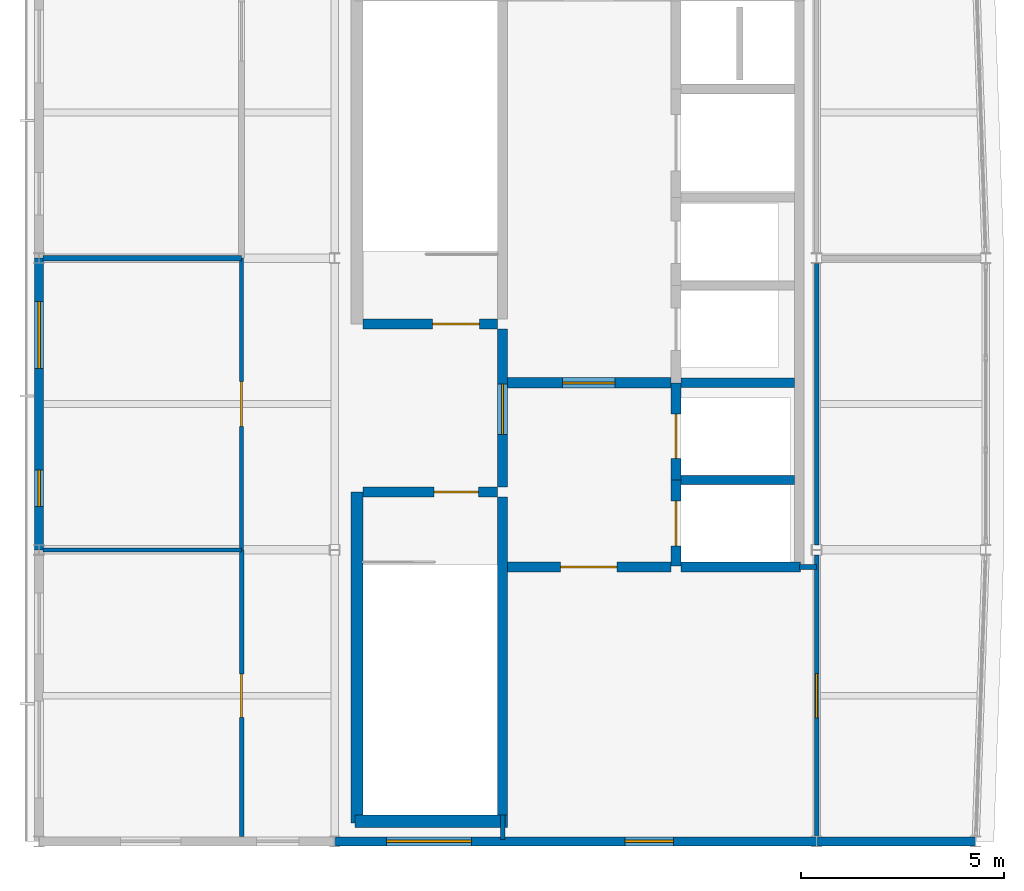
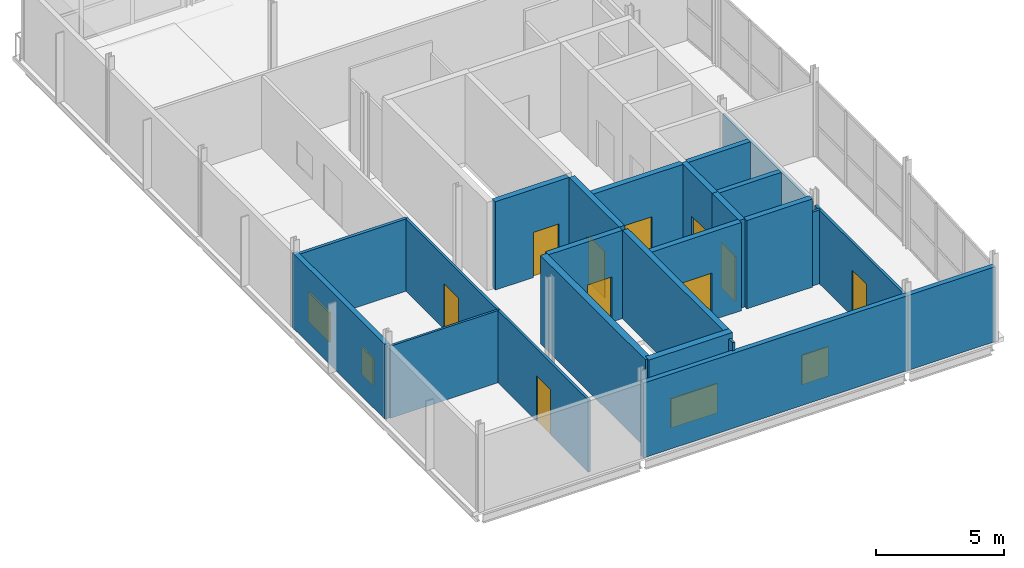
# One storey, part 11 of 14: 24 walls, 10 doors, 4 windows, 14 openings.
"""IFC4 building model written with IfcOpenShell, lengths in metres."""

from ifc_helpers import new_model, si_unit, direction, frame, frame_2d, origin, place, context, subcontext, project, spatial, rectangle, extrude, material, layer, layer_set, type_object, element, fill, save


model = new_model("IFC4")

# Units and contexts
model_context = context("Model", 3, precision=1e-05, world=origin(), true_north=direction((0.0, 1.0)))
body_context = subcontext(model_context, "Body", "Model", "MODEL_VIEW")
ifc_project = project(units=[si_unit("LENGTHUNIT", "METRE"), si_unit("AREAUNIT", "SQUARE_METRE"), si_unit("VOLUMEUNIT", "CUBIC_METRE"), si_unit("PLANEANGLEUNIT", "RADIAN"), si_unit("MASSUNIT", "GRAM", prefix="KILO")], contexts=[model_context])

# Site, building, storey
site_placement = place(None, origin())
site = spatial("IfcSite", under=ifc_project, at=site_placement, CompositionType="ELEMENT")
building_placement = place(site_placement, origin())
building = spatial("IfcBuilding", under=site, at=building_placement, Name="Quillay Park Conservatory", CompositionType="ELEMENT")
storey_placement = place(building_placement, frame((0.0, 0.0, 64.5)))
storey = spatial("IfcBuildingStorey", under=building, at=storey_placement, Name="L15", CompositionType="ELEMENT", Elevation=64.5)

# Wall
ifc_material_1 = material(Name="Steel-Stud Acoustic Gypsum Board Partition", Category="steel")
ifc_layer_1 = layer(ifc_material_1, 0.10009765625)
ifc_layer_set_1 = layer_set([ifc_layer_1], Name="ACOUSTIC GYPSUM PARTITION 100 (Steel-Stud Acoustic Gypsum Board Partition)")
wall_type_1 = type_object("IfcWallType", Name="ACOUSTIC GYPSUM PARTITION 100", PredefinedType="PARTITIONING", material=ifc_layer_set_1)
wall_1_placement = place(storey_placement, frame((0.64990234375, 85.199951171875, 0.0), z_axis=(0.0, 0.0, 1.0), x_axis=(1.0, 0.0, 0.0)))
element("IfcWall", 1, at=wall_1_placement, inside=storey, type_object=wall_type_1, Name="L15 West Divider 85", PredefinedType="PARTITIONING", context=body_context, shape_type="SweptSolid", body=[
    extrude(rectangle(XDim=4.900146484375, YDim=0.10009765625, at=frame_2d((2.4501953125, 0.0))), origin(), (0.0, 0.0, 1.0), 3.43603515625),
])

# Wall, opening, door
ifc_material_2 = material(Name="Steel-Stud Acoustic Gypsum Board Partition", Category="steel")
ifc_layer_2 = layer(ifc_material_2, 0.10498046875)
ifc_layer_set_2 = layer_set([ifc_layer_2], Name="ACOUSTIC GYPSUM PARTITION 105 (Steel-Stud Acoustic Gypsum Board Partition)")
wall_type_2 = type_object("IfcWallType", Name="ACOUSTIC GYPSUM PARTITION 105", PredefinedType="PARTITIONING", material=ifc_layer_set_2)
wall_2_placement = place(storey_placement, frame((5.550048828125, 85.199951171875, 0.0), z_axis=(0.0, 0.0, 1.0), x_axis=(0.0, 1.0, 0.0)))
wall_2 = element("IfcWall", 2, at=wall_2_placement, inside=storey, type_object=wall_type_2, Name="L15 Andean Treeline Phenology Studio Corridor Wall", PredefinedType="PARTITIONING", context=body_context, shape_type="SweptSolid", body=[
    extrude(rectangle(XDim=7.199951171875, YDim=0.10498046875, at=frame_2d((3.60009765625, 0.0))), origin(), (0.0, 0.0, 1.0), 3.43603515625),
])
opening_1_placement = place(wall_2_placement, frame((3.0400390625, 0.0, 0.0)))
opening_1 = element("IfcOpeningElement", 3, at=opening_1_placement, cuts=wall_2, Name="Opening D-RM12", PredefinedType="OPENING", context=body_context, shape_type="SweptSolid", body=[
    extrude(rectangle(XDim=1.1201171875, YDim=2.14990234375, at=frame_2d((0.56005859375, 1.074951171875))), frame((0.0, 0.052490234375, 0.0), z_axis=(0.0, -1.0, 0.0), x_axis=(1.0, 0.0, 0.0)), (0.0, 0.0, 1.0), 0.10498046875),
])
ifc_material_3 = material(Name="Thermally Broken Anodised Aluminium 6063-T6", Category="aluminium")
door_type_1 = type_object("IfcDoorType", Name="SINGLE SWING DOOR 1120 X2150", OperationType="NOTDEFINED", PredefinedType="DOOR", material=ifc_material_3)
door_1_placement = place(opening_1_placement, origin())
door_1 = element("IfcDoor", 4, at=door_1_placement, inside=storey, type_object=door_type_1, Name="L15 Door to Andean Treeline Phenology Studio", OperationType="SINGLE_SWING_RIGHT", OverallHeight=2.14990234375, OverallWidth=1.1201171875, PredefinedType="DOOR", context=body_context, shape_type="SweptSolid", body=[
    extrude(rectangle(XDim=1.1201171875, YDim=2.14990234375, at=frame_2d((0.56005859375, 1.074951171875))), frame((0.0, 0.02490234375, 0.0), z_axis=(0.0, -1.0, 0.0), x_axis=(1.0, 0.0, 0.0)), (0.0, 0.0, 1.0), 0.050048828125),
])
fill(opening_1, door_1)

# Wall
wall_3_placement = place(storey_placement, frame((19.75, 85.322998046875, 0.0), z_axis=(0.0, 0.0, 1.0), x_axis=(0.0, 1.0, 0.0)))
element("IfcWall", 5, at=wall_3_placement, inside=storey, type_object=wall_type_2, Name="L15 Cordillera Pollen Trap Analysis Lab West Wall 2", PredefinedType="PARTITIONING", context=body_context, shape_type="SweptSolid", body=[
    extrude(rectangle(XDim=6.951904296875, YDim=0.10498046875, at=frame_2d((3.47607421875, 0.0))), origin(), (0.0, 0.0, 1.0), 3.511962890625),
])

# Wall, opening, door
ifc_material_4 = material(Name="Steel-Stud Acoustic Gypsum Board Partition", Category="steel")
ifc_layer_3 = layer(ifc_material_4, 0.110107421875)
ifc_layer_set_3 = layer_set([ifc_layer_3], Name="ACOUSTIC GYPSUM PARTITION 110 (Steel-Stud Acoustic Gypsum Board Partition)")
wall_type_3 = type_object("IfcWallType", Name="ACOUSTIC GYPSUM PARTITION 110", PredefinedType="PARTITIONING", material=ifc_layer_set_3)
wall_4_placement = place(storey_placement, frame((5.550048828125, 78.125, 0.0), z_axis=(0.0, 0.0, 1.0), x_axis=(0.0, 1.0, 0.0)))
wall_4 = element("IfcWall", 6, at=wall_4_placement, inside=storey, type_object=wall_type_3, Name="L15 High-Altitude Alpine Seed Reference Laboratory Corridor Wall", PredefinedType="PARTITIONING", context=body_context, shape_type="SweptSolid", body=[
    extrude(rectangle(XDim=7.074951171875, YDim=0.110107421875, at=frame_2d((3.53759765625, 0.0))), origin(), (0.0, 0.0, 1.0), 3.43603515625),
])
opening_2_placement = place(wall_4_placement, frame((2.93505859375, 0.0, 0.0)))
opening_2 = element("IfcOpeningElement", 7, at=opening_2_placement, cuts=wall_4, Name="Opening D-RM11", PredefinedType="OPENING", context=body_context, shape_type="SweptSolid", body=[
    extrude(rectangle(XDim=1.080078125, YDim=2.14990234375, at=frame_2d((0.5400390625, 1.074951171875))), frame((0.0, 0.05517578125, 0.0), z_axis=(0.0, -1.0, 0.0), x_axis=(1.0, 0.0, 0.0)), (0.0, 0.0, 1.0), 0.110107421875),
])
ifc_material_5 = material(Name="Thermally Broken Anodised Aluminium 6063-T6", Category="aluminium")
door_type_2 = type_object("IfcDoorType", Name="SINGLE SWING DOOR 1080 X2150", OperationType="NOTDEFINED", PredefinedType="DOOR", material=ifc_material_5)
door_2_placement = place(opening_2_placement, origin())
door_2 = element("IfcDoor", 8, at=door_2_placement, inside=storey, type_object=door_type_2, Name="L15 Door to High-Altitude Alpine Seed Reference Laboratory", OperationType="SINGLE_SWING_LEFT", OverallHeight=2.14990234375, OverallWidth=1.080078125, PredefinedType="DOOR", context=body_context, shape_type="SweptSolid", body=[
    extrude(rectangle(XDim=1.080078125, YDim=2.14990234375, at=frame_2d((0.5400390625, 1.074951171875))), frame((0.0, 0.02490234375, 0.0), z_axis=(0.0, -1.0, 0.0), x_axis=(1.0, 0.0, 0.0)), (0.0, 0.0, 1.0), 0.050048828125),
])
fill(opening_2, door_2)

wall_5_placement = place(storey_placement, frame((19.75, 78.125, 0.0), z_axis=(0.0, 0.0, 1.0), x_axis=(0.0, 1.0, 0.0)))
wall_5 = element("IfcWall", 9, at=wall_5_placement, inside=storey, type_object=wall_type_3, Name="L15 Cordillera Pollen Trap Analysis Lab West Wall 1", PredefinedType="PARTITIONING", context=body_context, shape_type="SweptSolid", body=[
    extrude(rectangle(XDim=6.951904296875, YDim=0.110107421875, at=frame_2d((3.47607421875, 0.0))), origin(), (0.0, 0.0, 1.0), 3.511962890625),
])
opening_3_placement = place(wall_5_placement, frame((2.925048828125, 0.0, 0.0)))
opening_3 = element("IfcOpeningElement", 10, at=opening_3_placement, cuts=wall_5, Name="Opening D-RM16", PredefinedType="OPENING", context=body_context, shape_type="SweptSolid", body=[
    extrude(rectangle(XDim=1.10009765625, YDim=2.199951171875, at=frame_2d((0.550048828125, 1.10009765625))), frame((0.0, 0.05517578125, 0.0), z_axis=(0.0, -1.0, 0.0), x_axis=(1.0, 0.0, 0.0)), (0.0, 0.0, 1.0), 0.110107421875),
])
ifc_material_6 = material(Name="Thermally Broken Anodised Aluminium 6063-T6", Category="aluminium")
door_type_3 = type_object("IfcDoorType", Name="SINGLE SWING DOOR 1100 X2200", OperationType="NOTDEFINED", PredefinedType="DOOR", material=ifc_material_6)
door_3_placement = place(opening_3_placement, origin())
door_3 = element("IfcDoor", 11, at=door_3_placement, inside=storey, type_object=door_type_3, Name="L15 Door to Cordillera Pollen Trap Analysis Lab", OperationType="SINGLE_SWING_RIGHT", OverallHeight=2.199951171875, OverallWidth=1.10009765625, PredefinedType="DOOR", context=body_context, shape_type="SweptSolid", body=[
    extrude(rectangle(XDim=1.10009765625, YDim=2.199951171875, at=frame_2d((0.550048828125, 1.10009765625))), frame((0.0, 0.02490234375, 0.0), z_axis=(0.0, -1.0, 0.0), x_axis=(1.0, 0.0, 0.0)), (0.0, 0.0, 1.0), 0.050048828125),
])
fill(opening_3, door_3)

# Walls
ifc_material_7 = material(Name="Steel-Stud Acoustic Gypsum Board Partition", Category="steel")
ifc_layer_4 = layer(ifc_material_7, 0.114990234375)
ifc_layer_set_4 = layer_set([ifc_layer_4], Name="ACOUSTIC GYPSUM PARTITION 115 (Steel-Stud Acoustic Gypsum Board Partition)")
wall_type_4 = type_object("IfcWallType", Name="ACOUSTIC GYPSUM PARTITION 115", PredefinedType="PARTITIONING", material=ifc_layer_set_4)
wall_6_placement = place(storey_placement, frame((11.9951171875, 78.050048828125, 0.0), z_axis=(0.0, 0.0, 1.0), x_axis=(0.0, 1.0, 0.0)))
element("IfcWall", 12, at=wall_6_placement, inside=storey, type_object=wall_type_4, Name="L15 South Core West Pier Closure", PredefinedType="PARTITIONING", context=body_context, shape_type="SweptSolid", body=[
    extrude(rectangle(XDim=0.599853515625, YDim=0.114990234375, at=frame_2d((0.2998046875, 0.0))), origin(), (0.0, 0.0, 1.0), 3.949951171875),
])
ifc_material_8 = material(Name="Steel-Stud Acoustic Gypsum Board Partition", Category="steel")
ifc_layer_5 = layer(ifc_material_8, 0.1201171875)
ifc_layer_set_5 = layer_set([ifc_layer_5], Name="ACOUSTIC GYPSUM PARTITION 120 (Steel-Stud Acoustic Gypsum Board Partition)")
wall_type_5 = type_object("IfcWallType", Name="ACOUSTIC GYPSUM PARTITION 120", PredefinedType="PARTITIONING", material=ifc_layer_set_5)
wall_7_placement = place(storey_placement, frame((19.320068359375, 84.77490234375, 0.0), z_axis=(0.0, 0.0, 1.0), x_axis=(1.0, 0.0, 0.0)))
element("IfcWall", 13, at=wall_7_placement, inside=storey, type_object=wall_type_5, Name="L15 Core South-East Closure", PredefinedType="PARTITIONING", context=body_context, shape_type="SweptSolid", body=[
    extrude(rectangle(XDim=0.429931640625, YDim=0.1201171875, at=frame_2d((0.21484375, 0.0))), origin(), (0.0, 0.0, 1.0), 3.511962890625),
])
ifc_material_9 = material(Name="Steel-Stud Acoustic Gypsum Board Partition", Category="steel")
ifc_layer_6 = layer(ifc_material_9, 0.139892578125)
ifc_layer_set_6 = layer_set([ifc_layer_6], Name="ACOUSTIC GYPSUM PARTITION 140 (Steel-Stud Acoustic Gypsum Board Partition)")
wall_type_6 = type_object("IfcWallType", Name="ACOUSTIC GYPSUM PARTITION 140", PredefinedType="PARTITIONING", material=ifc_layer_set_6)
wall_8_placement = place(storey_placement, frame((0.64990234375, 92.39990234375, 0.0), z_axis=(0.0, 0.0, 1.0), x_axis=(1.0, 0.0, 0.0)))
element("IfcWall", 14, at=wall_8_placement, inside=storey, type_object=wall_type_6, Name="L15 West Divider 92", PredefinedType="PARTITIONING", context=body_context, shape_type="SweptSolid", body=[
    extrude(rectangle(XDim=4.900146484375, YDim=0.139892578125, at=frame_2d((2.4501953125, 0.0))), origin(), (0.0, 0.0, 1.0), 3.43603515625),
])
ifc_material_10 = material(Name="Concrete C35/45 (NCh170 Concrete C35/45)", Category="concrete")
ifc_layer_7 = layer(ifc_material_10, 0.22509765625)
ifc_layer_set_7 = layer_set([ifc_layer_7], Name="CORE SHEAR WALL 225 (Concrete C35/45 (NCh170 Concrete C35/45))")
wall_type_7 = type_object("IfcWallType", Name="CORE SHEAR WALL 225", PredefinedType="SHEAR", material=ifc_layer_set_7)
for number, where, z_axis, x_axis, name in (
    (15, (16.39990234375, 86.925048828125, 0.0), (0.0, 0.0, 1.0), (1.0, 0.0, 0.0), "L15 Core Shear Wall WL-LFDIV-L15-869"),
    (16, (16.39990234375, 89.324951171875, 0.0), (0.0, 0.0, 1.0), (1.0, 0.0, 0.0), "L15 Core Shear Wall WL-LFDIV-L15-893"),
):
    element("IfcWall", number, at=place(storey_placement, frame(where, z_axis=z_axis, x_axis=x_axis)), inside=storey, type_object=wall_type_7, Name=name, PredefinedType="SHEAR", context=body_context, shape_type="SweptSolid", body=[
        extrude(rectangle(XDim=2.800048828125, YDim=0.22509765625, at=frame_2d((1.39990234375, 0.0))), origin(), (0.0, 0.0, 1.0), 4.199951171875),
    ])
ifc_material_11 = material(Name="Concrete C40/50 (NCh170 Concrete C40/50)", Category="concrete")
ifc_layer_8 = layer(ifc_material_11, 0.25)
ifc_layer_set_8 = layer_set([ifc_layer_8], Name="CORE SHEAR WALL 250 (Concrete C40/50 (NCh170 Concrete C40/50))")
wall_type_8 = type_object("IfcWallType", Name="CORE SHEAR WALL 250", PredefinedType="SHEAR", material=ifc_layer_set_8)
wall_9_placement = place(storey_placement, frame((11.9951171875, 78.64990234375, 0.0), z_axis=(0.0, 0.0, 1.0), x_axis=(0.0, 1.0, 0.0)))
element("IfcWall", 17, at=wall_9_placement, inside=storey, type_object=wall_type_8, Name="L15 Core Shear Wall WL-T2E-L15", PredefinedType="SHEAR", context=body_context, shape_type="SweptSolid", body=[
    extrude(rectangle(XDim=7.85009765625, YDim=0.25, at=frame_2d((3.925048828125, 0.0))), origin(), (0.0, 0.0, 1.0), 4.199951171875),
])

# Wall, opening, door
wall_10_placement = place(storey_placement, frame((11.9951171875, 86.75, 0.0), z_axis=(0.0, 0.0, 1.0), x_axis=(0.0, 1.0, 0.0)))
wall_10 = element("IfcWall", 18, at=wall_10_placement, inside=storey, type_object=wall_type_8, Name="L15 Core Shear Wall WL-FFW-L15", PredefinedType="SHEAR", context=body_context, shape_type="SweptSolid", body=[
    extrude(rectangle(XDim=3.89990234375, YDim=0.25, at=frame_2d((1.949951171875, 0.0))), origin(), (0.0, 0.0, 1.0), 4.199951171875),
])
opening_4_placement = place(wall_10_placement, frame((1.300048828125, 0.0, 0.0)))
opening_4 = element("IfcOpeningElement", 19, at=opening_4_placement, cuts=wall_10, Name="Opening D-LB01", PredefinedType="OPENING", context=body_context, shape_type="SweptSolid", body=[
    extrude(rectangle(XDim=1.25, YDim=2.199951171875, at=frame_2d((0.625, 1.10009765625))), frame((0.0, 0.125, 0.0), z_axis=(0.0, -1.0, 0.0), x_axis=(1.0, 0.0, 0.0)), (0.0, 0.0, 1.0), 0.25),
])
ifc_material_12 = material(Name="Steel ASTM A572 Grade 50", Category="steel")
door_type_4 = type_object("IfcDoorType", Name="FIRE RATED LOBBY DOOR 1250 X2200", OperationType="NOTDEFINED", PredefinedType="DOOR", material=ifc_material_12)
door_4_placement = place(opening_4_placement, origin())
door_4 = element("IfcDoor", 20, at=door_4_placement, inside=storey, type_object=door_type_4, Name="L15 Firefighting Lobby Corridor Door", OperationType="SINGLE_SWING_LEFT", OverallHeight=2.199951171875, OverallWidth=1.25, PredefinedType="DOOR", context=body_context, shape_type="SweptSolid", body=[
    extrude(rectangle(XDim=1.25, YDim=2.199951171875, at=frame_2d((0.625, 1.10009765625))), frame((0.0, 0.02490234375, 0.0), z_axis=(0.0, -1.0, 0.0), x_axis=(1.0, 0.0, 0.0)), (0.0, 0.0, 1.0), 0.050048828125),
])
fill(opening_4, door_4)

wall_11_placement = place(storey_placement, frame((8.550048828125, 86.625, 0.0), z_axis=(0.0, 0.0, 1.0), x_axis=(1.0, 0.0, 0.0)))
wall_11 = element("IfcWall", 21, at=wall_11_placement, inside=storey, type_object=wall_type_8, Name="L15 Core Shear Wall WL-ST2D-L15", PredefinedType="SHEAR", context=body_context, shape_type="SweptSolid", body=[
    extrude(rectangle(XDim=3.320068359375, YDim=0.25, at=frame_2d((1.66015625, 0.0))), origin(), (0.0, 0.0, 1.0), 4.199951171875),
])
opening_5_placement = place(wall_11_placement, frame((1.75, 0.0, 0.0)))
opening_5 = element("IfcOpeningElement", 22, at=opening_5_placement, cuts=wall_11, Name="Opening D-ST01", PredefinedType="OPENING", context=body_context, shape_type="SweptSolid", body=[
    extrude(rectangle(XDim=1.10009765625, YDim=2.14990234375, at=frame_2d((0.550048828125, 1.074951171875))), frame((0.0, 0.125, 0.0), z_axis=(0.0, -1.0, 0.0), x_axis=(1.0, 0.0, 0.0)), (0.0, 0.0, 1.0), 0.25),
])
ifc_material_13 = material(Name="Steel ASTM A572 Grade 50", Category="steel")
door_type_5 = type_object("IfcDoorType", Name="FIRE RATED STAIR DOOR 1100 X2150", OperationType="NOTDEFINED", PredefinedType="DOOR", material=ifc_material_13)
door_5_placement = place(opening_5_placement, origin())
door_5 = element("IfcDoor", 23, at=door_5_placement, inside=storey, type_object=door_type_5, Name="L15 Protected Stair ST-T2 Door", OperationType="SINGLE_SWING_LEFT", OverallHeight=2.14990234375, OverallWidth=1.10009765625, PredefinedType="DOOR", context=body_context, shape_type="SweptSolid", body=[
    extrude(rectangle(XDim=1.10009765625, YDim=2.14990234375, at=frame_2d((0.550048828125, 1.074951171875))), frame((0.0, 0.02490234375, 0.0), z_axis=(0.0, -1.0, 0.0), x_axis=(1.0, 0.0, 0.0)), (0.0, 0.0, 1.0), 0.050048828125),
])
fill(opening_5, door_5)

wall_12_placement = place(storey_placement, frame((11.8701171875, 90.77490234375, 0.0), z_axis=(0.0, 0.0, 1.0), x_axis=(-1.0, 0.0, 0.0)))
wall_12 = element("IfcWall", 24, at=wall_12_placement, inside=storey, type_object=wall_type_8, Name="L15 Core Shear Wall WL-ST1D-L15", PredefinedType="SHEAR", context=body_context, shape_type="SweptSolid", body=[
    extrude(rectangle(XDim=3.320068359375, YDim=0.25, at=frame_2d((1.66015625, 0.0))), origin(), (0.0, 0.0, 1.0), 4.199951171875),
])
opening_6_placement = place(wall_12_placement, frame((0.449951171875, 0.0, 0.0)))
opening_6 = element("IfcOpeningElement", 25, at=opening_6_placement, cuts=wall_12, Name="Opening D-ST02", PredefinedType="OPENING", context=body_context, shape_type="SweptSolid", body=[
    extrude(rectangle(XDim=1.14990234375, YDim=2.14990234375, at=frame_2d((0.574951171875, 1.074951171875))), frame((0.0, 0.125, 0.0), z_axis=(0.0, -1.0, 0.0), x_axis=(1.0, 0.0, 0.0)), (0.0, 0.0, 1.0), 0.25),
])
ifc_material_14 = material(Name="Steel ASTM A572 Grade 50", Category="steel")
door_type_6 = type_object("IfcDoorType", Name="FIRE RATED STAIR DOOR 1150 X2150", OperationType="NOTDEFINED", PredefinedType="DOOR", material=ifc_material_14)
door_6_placement = place(opening_6_placement, origin())
door_6 = element("IfcDoor", 26, at=door_6_placement, inside=storey, type_object=door_type_6, Name="L15 Protected Stair ST-T1 Door", OperationType="SINGLE_SWING_RIGHT", OverallHeight=2.14990234375, OverallWidth=1.14990234375, PredefinedType="DOOR", context=body_context, shape_type="SweptSolid", body=[
    extrude(rectangle(XDim=1.14990234375, YDim=2.14990234375, at=frame_2d((0.574951171875, 1.074951171875))), frame((0.0, 0.02490234375, 0.0), z_axis=(0.0, -1.0, 0.0), x_axis=(1.0, 0.0, 0.0)), (0.0, 0.0, 1.0), 0.050048828125),
])
fill(opening_6, door_6)

wall_13_placement = place(storey_placement, frame((12.1201171875, 89.324951171875, 0.0), z_axis=(0.0, 0.0, 1.0), x_axis=(1.0, 0.0, 0.0)))
wall_13 = element("IfcWall", 27, at=wall_13_placement, inside=storey, type_object=wall_type_8, Name="L15 Core Shear Wall WL-FFDIV-L15", PredefinedType="SHEAR", context=body_context, shape_type="SweptSolid", body=[
    extrude(rectangle(XDim=4.02978515625, YDim=0.25, at=frame_2d((2.014892578125, 0.0))), origin(), (0.0, 0.0, 1.0), 4.199951171875),
])
opening_7_placement = place(wall_13_placement, frame((1.35009765625, 0.0, 0.0)))
opening_7 = element("IfcOpeningElement", 28, at=opening_7_placement, cuts=wall_13, Name="Opening D-LB02", PredefinedType="OPENING", context=body_context, shape_type="SweptSolid", body=[
    extrude(rectangle(XDim=1.300048828125, YDim=2.199951171875, at=frame_2d((0.64990234375, 1.10009765625))), frame((0.0, 0.125, 0.0), z_axis=(0.0, -1.0, 0.0), x_axis=(1.0, 0.0, 0.0)), (0.0, 0.0, 1.0), 0.25),
])
ifc_material_15 = material(Name="Steel ASTM A572 Grade 50", Category="steel")
door_type_7 = type_object("IfcDoorType", Name="FIRE RATED LOBBY DOOR 1300 X2200", OperationType="NOTDEFINED", PredefinedType="DOOR", material=ifc_material_15)
door_7_placement = place(opening_7_placement, origin())
door_7 = element("IfcDoor", 29, at=door_7_placement, inside=storey, type_object=door_type_7, Name="L15 Firefighting to Passenger Lobby Door", OperationType="SINGLE_SWING_LEFT", OverallHeight=2.199951171875, OverallWidth=1.300048828125, PredefinedType="DOOR", context=body_context, shape_type="SweptSolid", body=[
    extrude(rectangle(XDim=1.300048828125, YDim=2.199951171875, at=frame_2d((0.64990234375, 1.10009765625))), frame((0.0, 0.02490234375, 0.0), z_axis=(0.0, -1.0, 0.0), x_axis=(1.0, 0.0, 0.0)), (0.0, 0.0, 1.0), 0.050048828125),
])
fill(opening_7, door_7)

wall_14_placement = place(storey_placement, frame((12.1201171875, 84.77490234375, 0.0), z_axis=(0.0, 0.0, 1.0), x_axis=(1.0, 0.0, 0.0)))
wall_14 = element("IfcWall", 30, at=wall_14_placement, inside=storey, type_object=wall_type_8, Name="L15 Core Shear Wall WL-FFS-L15", PredefinedType="SHEAR", context=body_context, shape_type="SweptSolid", body=[
    extrude(rectangle(XDim=4.02978515625, YDim=0.25, at=frame_2d((2.014892578125, 0.0))), origin(), (0.0, 0.0, 1.0), 4.199951171875),
])
opening_8_placement = place(wall_14_placement, frame((1.300048828125, 0.0, 0.0)))
opening_8 = element("IfcOpeningElement", 31, at=opening_8_placement, cuts=wall_14, Name="Opening D-LB03", PredefinedType="OPENING", context=body_context, shape_type="SweptSolid", body=[
    extrude(rectangle(XDim=1.39990234375, YDim=2.25, at=frame_2d((0.699951171875, 1.125))), frame((0.0, 0.125, 0.0), z_axis=(0.0, -1.0, 0.0), x_axis=(1.0, 0.0, 0.0)), (0.0, 0.0, 1.0), 0.25),
])
ifc_material_16 = material(Name="Steel ASTM A572 Grade 50", Category="steel")
door_type_8 = type_object("IfcDoorType", Name="FIRE RATED LOBBY DOOR 1400 X2250", OperationType="NOTDEFINED", PredefinedType="DOOR", material=ifc_material_16)
door_8_placement = place(opening_8_placement, origin())
door_8 = element("IfcDoor", 32, at=door_8_placement, inside=storey, type_object=door_type_8, Name="L15 South Core Lobby Door", OperationType="SINGLE_SWING_RIGHT", OverallHeight=2.25, OverallWidth=1.39990234375, PredefinedType="DOOR", context=body_context, shape_type="SweptSolid", body=[
    extrude(rectangle(XDim=1.39990234375, YDim=2.25, at=frame_2d((0.699951171875, 1.125))), frame((0.0, 0.02490234375, 0.0), z_axis=(0.0, -1.0, 0.0), x_axis=(1.0, 0.0, 0.0)), (0.0, 0.0, 1.0), 0.050048828125),
])
fill(opening_8, door_8)

# Wall
wall_15_placement = place(storey_placement, frame((16.39990234375, 84.77490234375, 0.0), z_axis=(0.0, 0.0, 1.0), x_axis=(1.0, 0.0, 0.0)))
element("IfcWall", 33, at=wall_15_placement, inside=storey, type_object=wall_type_8, Name="L15 Core Shear Wall WL-LFSO-L15", PredefinedType="SHEAR", context=body_context, shape_type="SweptSolid", body=[
    extrude(rectangle(XDim=2.9501953125, YDim=0.25, at=frame_2d((1.47509765625, 0.0))), origin(), (0.0, 0.0, 1.0), 4.199951171875),
])

# Wall, opening, door
wall_16_placement = place(storey_placement, frame((16.27490234375, 84.800048828125, 0.0), z_axis=(0.0, 0.0, 1.0), x_axis=(0.0, 1.0, 0.0)))
wall_16 = element("IfcWall", 34, at=wall_16_placement, inside=storey, type_object=wall_type_8, Name="L15 Core Shear Wall WL-LFFR-L15-LF-FF1", PredefinedType="SHEAR", context=body_context, shape_type="SweptSolid", body=[
    extrude(rectangle(XDim=2.125, YDim=0.25, at=frame_2d((1.0625, 0.0))), origin(), (0.0, 0.0, 1.0), 4.199951171875),
])
opening_9_placement = place(wall_16_placement, frame((0.5, 0.0, 0.0)))
opening_9 = element("IfcOpeningElement", 35, at=opening_9_placement, cuts=wall_16, Name="Opening LD01", PredefinedType="OPENING", context=body_context, shape_type="SweptSolid", body=[
    extrude(rectangle(XDim=1.10009765625, YDim=2.14990234375, at=frame_2d((0.550048828125, 1.074951171875))), frame((0.0, 0.125, 0.0), z_axis=(0.0, -1.0, 0.0), x_axis=(1.0, 0.0, 0.0)), (0.0, 0.0, 1.0), 0.25),
])
ifc_material_17 = material(Name="Steel ASTM A572 Grade 50", Category="steel")
door_type_9 = type_object("IfcDoorType", Name="LIFT LANDING SLIDING DOOR 1100 X2150", OperationType="NOTDEFINED", PredefinedType="DOOR", material=ifc_material_17)
door_9_placement = place(opening_9_placement, origin())
door_9 = element("IfcDoor", 36, at=door_9_placement, inside=storey, type_object=door_type_9, Name="L15 LF-FF1 Lift Landing Door LD01", OperationType="SLIDING_TO_LEFT", OverallHeight=2.14990234375, OverallWidth=1.10009765625, PredefinedType="DOOR", context=body_context, shape_type="SweptSolid", body=[
    extrude(rectangle(XDim=1.10009765625, YDim=2.14990234375, at=frame_2d((0.550048828125, 1.074951171875))), frame((0.0, 0.02490234375, 0.0), z_axis=(0.0, -1.0, 0.0), x_axis=(1.0, 0.0, 0.0)), (0.0, 0.0, 1.0), 0.050048828125),
])
fill(opening_9, door_9)

wall_17_placement = place(storey_placement, frame((16.27490234375, 86.925048828125, 0.0), z_axis=(0.0, 0.0, 1.0), x_axis=(0.0, 1.0, 0.0)))
wall_17 = element("IfcWall", 37, at=wall_17_placement, inside=storey, type_object=wall_type_8, Name="L15 Core Shear Wall WL-LFFR-L15-LF-FF2", PredefinedType="SHEAR", context=body_context, shape_type="SweptSolid", body=[
    extrude(rectangle(XDim=2.39990234375, YDim=0.25, at=frame_2d((1.199951171875, 0.0))), origin(), (0.0, 0.0, 1.0), 4.199951171875),
])
opening_10_placement = place(wall_17_placement, frame((0.52490234375, 0.0, 0.0)))
opening_10 = element("IfcOpeningElement", 38, at=opening_10_placement, cuts=wall_17, Name="Opening LD01", PredefinedType="OPENING", context=body_context, shape_type="SweptSolid", body=[
    extrude(rectangle(XDim=1.10009765625, YDim=2.14990234375, at=frame_2d((0.550048828125, 1.074951171875))), frame((0.0, 0.125, 0.0), z_axis=(0.0, -1.0, 0.0), x_axis=(1.0, 0.0, 0.0)), (0.0, 0.0, 1.0), 0.25),
])
door_10_placement = place(opening_10_placement, origin())
door_10 = element("IfcDoor", 39, at=door_10_placement, inside=storey, type_object=door_type_9, Name="L15 LF-FF2 Lift Landing Door LD01", OperationType="SLIDING_TO_LEFT", OverallHeight=2.14990234375, OverallWidth=1.10009765625, PredefinedType="DOOR", context=body_context, shape_type="SweptSolid", body=[
    extrude(rectangle(XDim=1.10009765625, YDim=2.14990234375, at=frame_2d((0.550048828125, 1.074951171875))), frame((0.0, 0.02490234375, 0.0), z_axis=(0.0, -1.0, 0.0), x_axis=(1.0, 0.0, 0.0)), (0.0, 0.0, 1.0), 0.050048828125),
])
fill(opening_10, door_10)

# Walls
ifc_material_18 = material(Name="Concrete C40/50 (NCh170 Concrete C40/50)", Category="concrete")
ifc_layer_9 = layer(ifc_material_18, 0.300048828125)
ifc_layer_set_9 = layer_set([ifc_layer_9], Name="CORE SHEAR WALL 300 (Concrete C40/50 (NCh170 Concrete C40/50))")
wall_type_9 = type_object("IfcWallType", Name="CORE SHEAR WALL 300", PredefinedType="SHEAR", material=ifc_layer_set_9)
wall_18_placement = place(storey_placement, frame((8.39990234375, 78.449951171875, 0.0), z_axis=(0.0, 0.0, 1.0), x_axis=(0.0, 1.0, 0.0)))
element("IfcWall", 40, at=wall_18_placement, inside=storey, type_object=wall_type_9, Name="L15 Core Shear Wall WL-TCW-S-L15", PredefinedType="SHEAR", context=body_context, shape_type="SweptSolid", body=[
    extrude(rectangle(XDim=8.175048828125, YDim=0.300048828125, at=frame_2d((4.08740234375, 0.0))), origin(), (0.0, 0.0, 1.0), 4.199951171875),
])
wall_19_placement = place(storey_placement, frame((8.35009765625, 78.5, 0.0), z_axis=(0.0, 0.0, 1.0), x_axis=(1.0, 0.0, 0.0)))
element("IfcWall", 41, at=wall_19_placement, inside=storey, type_object=wall_type_9, Name="L15 Core Shear Wall WL-TCS-L15", PredefinedType="SHEAR", context=body_context, shape_type="SweptSolid", body=[
    extrude(rectangle(XDim=3.77001953125, YDim=0.300048828125, at=frame_2d((1.885009765625, 0.0))), origin(), (0.0, 0.0, 1.0), 4.199951171875),
])

# Wall, openings, windows
ifc_material_19 = material(Name="Glass-Fibre Reinforced Concrete (GRC) Cladding", Category="concrete")
ifc_layer_10 = layer(ifc_material_19, 0.219970703125)
ifc_layer_set_10 = layer_set([ifc_layer_10], Name="EXTERIOR SOLID WALL 220 (Glass-Fibre Reinforced Concrete (GRC) Cladding)")
wall_type_10 = type_object("IfcWallType", Name="EXTERIOR SOLID WALL 220", PredefinedType="SOLIDWALL", material=ifc_layer_set_10)
wall_20_placement = place(storey_placement, frame((0.550048828125, 85.199951171875, 0.0), z_axis=(0.0, 0.0, 1.0), x_axis=(0.0, 1.0, 0.0)))
wall_20 = element("IfcWall", 42, at=wall_20_placement, inside=storey, type_object=wall_type_10, Name="L15 External Wall WL-EXT-V4W-L15-1", PredefinedType="SOLIDWALL", context=body_context, shape_type="SweptSolid", body=[
    extrude(rectangle(XDim=7.199951171875, YDim=0.219970703125, at=frame_2d((3.60009765625, 0.0))), origin(), (0.0, 0.0, 1.0), 3.56201171875),
])
opening_11_placement = place(wall_20_placement, frame((1.070068359375, 0.0, 0.919921875)))
opening_11 = element("IfcOpeningElement", 43, at=opening_11_placement, cuts=wall_20, Name="Opening W-17", PredefinedType="OPENING", context=body_context, shape_type="SweptSolid", body=[
    extrude(rectangle(XDim=0.89990234375, YDim=1.300048828125, at=frame_2d((0.449951171875, 0.64990234375))), frame((0.0, 0.10986328125, 0.0), z_axis=(0.0, -1.0, 0.0), x_axis=(1.0, 0.0, 0.0)), (0.0, 0.0, 1.0), 0.219970703125),
])
opening_12_placement = place(wall_20_placement, frame((4.47998046875, 0.0, 0.919921875)))
opening_12 = element("IfcOpeningElement", 44, at=opening_12_placement, cuts=wall_20, Name="Opening W-04", PredefinedType="OPENING", context=body_context, shape_type="SweptSolid", body=[
    extrude(rectangle(XDim=1.64990234375, YDim=1.39990234375, at=frame_2d((0.824951171875, 0.699951171875))), frame((0.0, 0.10986328125, 0.0), z_axis=(0.0, -1.0, 0.0), x_axis=(1.0, 0.0, 0.0)), (0.0, 0.0, 1.0), 0.219970703125),
])
ifc_material_20 = material(Name="Low-E Double Glazing (Laminated Tempered)", Category="glass")
window_type_1 = type_object("IfcWindowType", Name="FIXED CASEMENT WINDOW 1650 X1400", PartitioningType="DOUBLE_PANEL_VERTICAL", PredefinedType="WINDOW", material=ifc_material_20)
window_1_placement = place(opening_12_placement, origin())
window_1 = element("IfcWindow", 45, at=window_1_placement, inside=storey, type_object=window_type_1, Name="L15 Exterior Window 0319", OverallHeight=1.39990234375, OverallWidth=1.64990234375, PartitioningType="DOUBLE_PANEL_VERTICAL", PredefinedType="WINDOW", context=body_context, shape_type="SweptSolid", body=[
    extrude(rectangle(XDim=1.64990234375, YDim=1.39990234375, at=frame_2d((0.824951171875, 0.699951171875))), frame((0.0, 0.030029296875, 0.0), z_axis=(0.0, -1.0, 0.0), x_axis=(1.0, 0.0, 0.0)), (0.0, 0.0, 1.0), 0.06005859375),
])
fill(opening_12, window_1)
ifc_material_21 = material(Name="Low-E Double Glazing (Laminated Tempered)", Category="glass")
window_type_2 = type_object("IfcWindowType", Name="FIXED CASEMENT WINDOW 900 X1300", PartitioningType="SINGLE_PANEL", PredefinedType="WINDOW", material=ifc_material_21)
window_2_placement = place(opening_11_placement, origin())
window_2 = element("IfcWindow", 46, at=window_2_placement, inside=storey, type_object=window_type_2, Name="L15 Exterior Window 0318", OverallHeight=1.300048828125, OverallWidth=0.89990234375, PartitioningType="SINGLE_PANEL", PredefinedType="WINDOW", context=body_context, shape_type="SweptSolid", body=[
    extrude(rectangle(XDim=0.89990234375, YDim=1.300048828125, at=frame_2d((0.449951171875, 0.64990234375))), frame((0.0, 0.030029296875, 0.0), z_axis=(0.0, -1.0, 0.0), x_axis=(1.0, 0.0, 0.0)), (0.0, 0.0, 1.0), 0.06005859375),
])
fill(opening_11, window_2)

wall_21_placement = place(storey_placement, frame((19.75, 78.0, 0.0), z_axis=(0.0, 0.0, 1.0), x_axis=(-1.0, 0.0, 0.0)))
wall_21 = element("IfcWall", 47, at=wall_21_placement, inside=storey, type_object=wall_type_10, Name="L15 External Wall WL-EXT-V4S2-L15", PredefinedType="SOLIDWALL", context=body_context, shape_type="SweptSolid", body=[
    extrude(rectangle(XDim=11.89990234375, YDim=0.219970703125, at=frame_2d((5.949951171875, 0.0))), origin(), (0.0, 0.0, 1.0), 3.56201171875),
])
opening_13_placement = place(wall_21_placement, frame((3.532470703125, 0.0, 0.919921875)))
opening_13 = element("IfcOpeningElement", 48, at=opening_13_placement, cuts=wall_21, Name="Opening W-01", PredefinedType="OPENING", context=body_context, shape_type="SweptSolid", body=[
    extrude(rectangle(XDim=1.199951171875, YDim=1.39990234375, at=frame_2d((0.60009765625, 0.699951171875))), frame((0.0, 0.10986328125, 0.0), z_axis=(0.0, -1.0, 0.0), x_axis=(1.0, 0.0, 0.0)), (0.0, 0.0, 1.0), 0.219970703125),
])
opening_14_placement = place(wall_21_placement, frame((8.5224609375, 0.0, 0.919921875)))
opening_14 = element("IfcOpeningElement", 49, at=opening_14_placement, cuts=wall_21, Name="Opening W-06", PredefinedType="OPENING", context=body_context, shape_type="SweptSolid", body=[
    extrude(rectangle(XDim=2.10009765625, YDim=1.39990234375, at=frame_2d((1.050048828125, 0.699951171875))), frame((0.0, 0.10986328125, 0.0), z_axis=(0.0, -1.0, 0.0), x_axis=(1.0, 0.0, 0.0)), (0.0, 0.0, 1.0), 0.219970703125),
])
ifc_material_22 = material(Name="Low-E Double Glazing (Laminated Tempered)", Category="glass")
window_type_3 = type_object("IfcWindowType", Name="FIXED CASEMENT WINDOW 1200 X1400", PartitioningType="SINGLE_PANEL", PredefinedType="WINDOW", material=ifc_material_22)
window_3_placement = place(opening_13_placement, origin())
window_3 = element("IfcWindow", 50, at=window_3_placement, inside=storey, type_object=window_type_3, Name="L15 Exterior Window 0328", OverallHeight=1.39990234375, OverallWidth=1.199951171875, PartitioningType="SINGLE_PANEL", PredefinedType="WINDOW", context=body_context, shape_type="SweptSolid", body=[
    extrude(rectangle(XDim=1.199951171875, YDim=1.39990234375, at=frame_2d((0.60009765625, 0.699951171875))), frame((0.0, 0.030029296875, 0.0), z_axis=(0.0, -1.0, 0.0), x_axis=(1.0, 0.0, 0.0)), (0.0, 0.0, 1.0), 0.06005859375),
])
fill(opening_13, window_3)
ifc_material_23 = material(Name="Low-E Double Glazing (Laminated Tempered)", Category="glass")
window_type_4 = type_object("IfcWindowType", Name="FIXED CASEMENT WINDOW 2100 X1400", PartitioningType="DOUBLE_PANEL_VERTICAL", PredefinedType="WINDOW", material=ifc_material_23)
window_4_placement = place(opening_14_placement, origin())
window_4 = element("IfcWindow", 51, at=window_4_placement, inside=storey, type_object=window_type_4, Name="L15 Exterior Window 0329", OverallHeight=1.39990234375, OverallWidth=2.10009765625, PartitioningType="DOUBLE_PANEL_VERTICAL", PredefinedType="WINDOW", context=body_context, shape_type="SweptSolid", body=[
    extrude(rectangle(XDim=2.10009765625, YDim=1.39990234375, at=frame_2d((1.050048828125, 0.699951171875))), frame((0.0, 0.030029296875, 0.0), z_axis=(0.0, -1.0, 0.0), x_axis=(1.0, 0.0, 0.0)), (0.0, 0.0, 1.0), 0.06005859375),
])
fill(opening_14, window_4)

# Wall
wall_22_placement = place(storey_placement, frame((23.675048828125, 78.0, 0.0), z_axis=(0.0, 0.0, 1.0), x_axis=(-1.0, 0.0, 0.0)))
element("IfcWall", 52, at=wall_22_placement, inside=storey, type_object=wall_type_10, Name="L15 External Wall WL-EXT-V4S3-L15", PredefinedType="SOLIDWALL", context=body_context, shape_type="SweptSolid", body=[
    extrude(rectangle(XDim=3.925048828125, YDim=0.219970703125, at=frame_2d((1.96240234375, 0.0))), origin(), (0.0, 0.0, 1.0), 3.56201171875),
])

save(model, "model.ifc")
